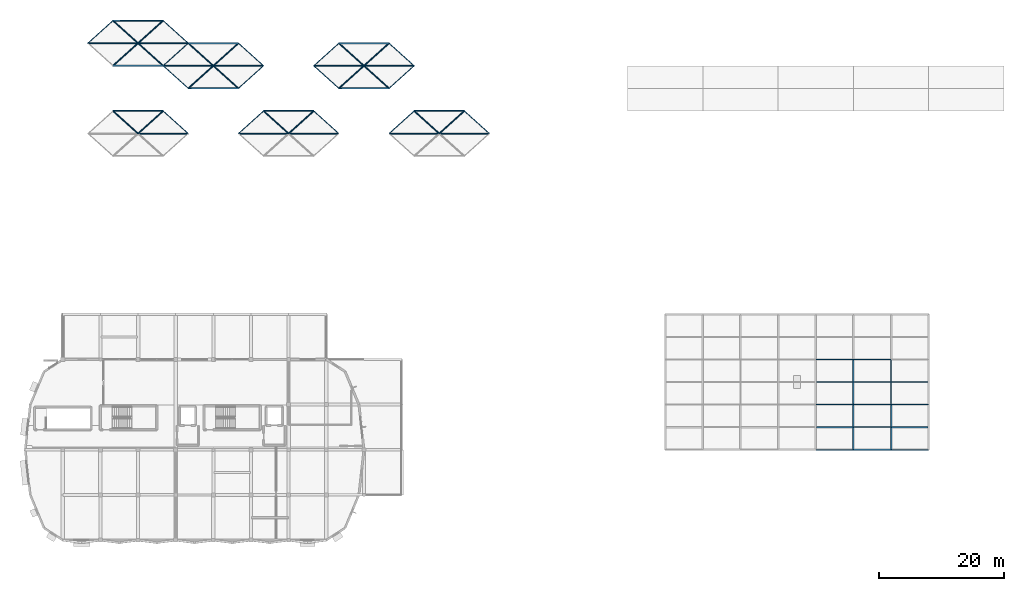
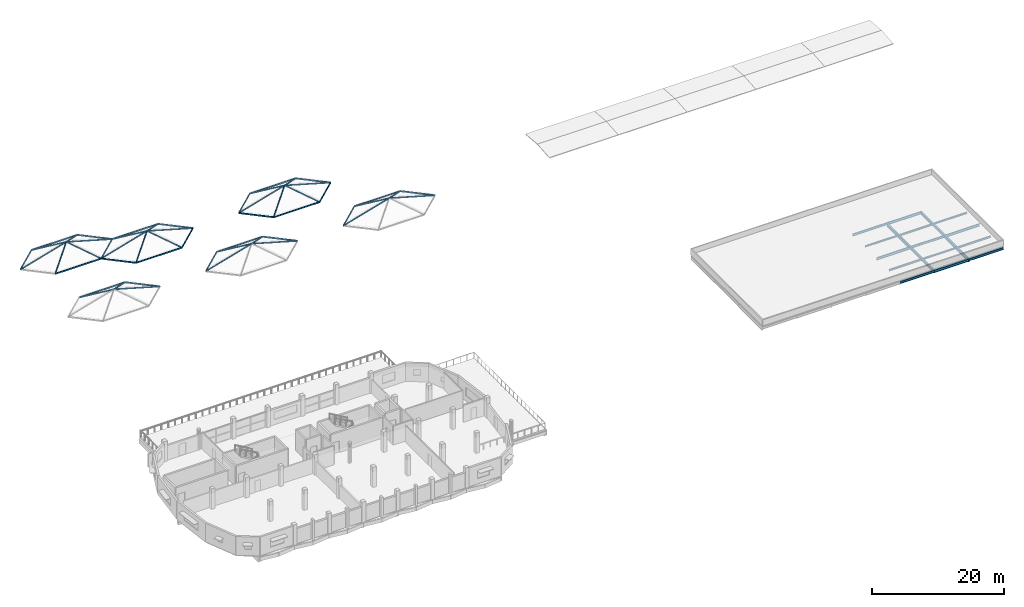
# One storey, part 9 of 19: 42 beams, 29 members.
"""IFC4 building model written with IfcOpenShell, lengths in metres."""

from ifc_helpers import new_model, si_unit, direction, frame, origin, origin_2d, place, context, subcontext, project, spatial, hollow_rectangle, hollow_circle, i_section, extrude, material, material_profile, profile_set, type_object, element, save


model = new_model("IFC4")

# Units and contexts
model_context = context("Model", 3, precision=1e-05, world=origin(), true_north=direction((0.0, 1.0)))
body_context = subcontext(model_context, "Body", "Model", "MODEL_VIEW")
ifc_project = project(units=[si_unit("LENGTHUNIT", "METRE"), si_unit("AREAUNIT", "SQUARE_METRE"), si_unit("VOLUMEUNIT", "CUBIC_METRE"), si_unit("PLANEANGLEUNIT", "RADIAN"), si_unit("MASSUNIT", "GRAM", prefix="KILO")], contexts=[model_context])

# Site, building, storey
site_placement = place(None, origin())
site = spatial("IfcSite", under=ifc_project, at=site_placement, CompositionType="ELEMENT")
building_placement = place(site_placement, origin())
building = spatial("IfcBuilding", under=site, at=building_placement, Name="Dunvalen Ferry Terminal", CompositionType="ELEMENT")
storey_placement = place(building_placement, frame((0.0, 0.0, 13.580078125)))
storey = spatial("IfcBuildingStorey", under=building, at=storey_placement, Name="L03", CompositionType="ELEMENT", Elevation=13.580078125)

# Beams
ifc_material = material(Name="Steel S355", Category="steel")
ifc_material_profile_1 = material_profile(ifc_material, hollow_rectangle(XDim=0.14990234375, YDim=0.25, WallThickness=0.010009765625, InnerFilletRadius=0.010009765625, OuterFilletRadius=0.02001953125, at=origin_2d()), Name="Steel S355")
ifc_profile_set_1 = profile_set([ifc_material_profile_1], Name="Steel S355")
beam_type_1 = type_object("IfcBeamType", Name="STR-BM-RHS250", PredefinedType="BEAM", material=ifc_profile_set_1)
beam_1_placement = place(storey_placement, frame((38.0, 64.800048828125, 3.260009765625), z_axis=(-0.74330768127, 0.668949692402, 0.0), x_axis=(-0.668949692402, -0.74330768127, 0.0)))
element("IfcBeam", 1, at=beam_1_placement, inside=storey, type_object=beam_type_1, Name="HEX-14 Lantern Head Ring Beam 4", PredefinedType="BEAM", context=body_context, shape_type="SweptSolid", body=[
    extrude(hollow_rectangle(XDim=0.14990234375, YDim=0.25, WallThickness=0.010009765625, InnerFilletRadius=0.010009765625, OuterFilletRadius=0.02001953125, at=origin_2d()), origin(), (0.0, 0.0, 1.0), 5.38134765625),
])
for number, where, z_axis, x_axis, name in (
    (2, (34.0, 68.39990234375, 3.260009765625), (-1.0, 0.0, 0.0), (0.0, -1.0, 0.0), "HEX-14 Lantern Head Ring Beam 5"),
    (3, (26.0, 75.60009765625, 3.260009765625), (1.0, 0.0, 0.0), (0.0, 1.0, 0.0), "HEX-16 Lantern Head Ring Beam 2"),
):
    element("IfcBeam", number, at=place(storey_placement, frame(where, z_axis=z_axis, x_axis=x_axis)), inside=storey, type_object=beam_type_1, Name=name, PredefinedType="BEAM", context=body_context, shape_type="SweptSolid", body=[
        extrude(hollow_rectangle(XDim=0.14990234375, YDim=0.25, WallThickness=0.010009765625, InnerFilletRadius=0.010009765625, OuterFilletRadius=0.02001953125, at=origin_2d()), origin(), (0.0, 0.0, 1.0), 8.0),
    ])
beam_2_placement = place(storey_placement, frame((34.0, 75.60009765625, 3.260009765625), z_axis=(0.74330768127, 0.668949692402, 0.0), x_axis=(-0.668949692402, 0.74330768127, 0.0)))
element("IfcBeam", 4, at=beam_2_placement, inside=storey, type_object=beam_type_1, Name="HEX-16 Lantern Head Ring Beam 3", PredefinedType="BEAM", context=body_context, shape_type="SweptSolid", body=[
    extrude(hollow_rectangle(XDim=0.14990234375, YDim=0.25, WallThickness=0.010009765625, InnerFilletRadius=0.010009765625, OuterFilletRadius=0.02001953125, at=origin_2d()), origin(), (0.0, 0.0, 1.0), 5.38134765625),
])
beam_3_placement = place(storey_placement, frame((38.0, 79.199951171875, 3.260009765625), z_axis=(-0.743285123004, 0.668974757313, 0.0), x_axis=(-0.668974757313, -0.743285123004, 0.0)))
element("IfcBeam", 5, at=beam_3_placement, inside=storey, type_object=beam_type_1, Name="HEX-16 Lantern Head Ring Beam 4", PredefinedType="BEAM", context=body_context, shape_type="SweptSolid", body=[
    extrude(hollow_rectangle(XDim=0.14990234375, YDim=0.25, WallThickness=0.010009765625, InnerFilletRadius=0.010009765625, OuterFilletRadius=0.02001953125, at=origin_2d()), origin(), (0.0, 0.0, 1.0), 5.381591796875),
])
beam_4_placement = place(storey_placement, frame((34.0, 82.800048828125, 3.260009765625), z_axis=(-1.0, 0.0, 0.0), x_axis=(0.0, -1.0, 0.0)))
element("IfcBeam", 6, at=beam_4_placement, inside=storey, type_object=beam_type_1, Name="HEX-16 Lantern Head Ring Beam 5", PredefinedType="BEAM", context=body_context, shape_type="SweptSolid", body=[
    extrude(hollow_rectangle(XDim=0.14990234375, YDim=0.25, WallThickness=0.010009765625, InnerFilletRadius=0.010009765625, OuterFilletRadius=0.02001953125, at=origin_2d()), origin(), (0.0, 0.0, 1.0), 8.0),
])
for number, where, z_axis, x_axis, name in (
    (7, (26.0, 82.800048828125, 3.260009765625), (-0.743285123004, -0.668974757313, 0.0), (0.668974757313, -0.743285123004, 0.0), "HEX-16 Lantern Head Ring Beam 6"),
    (8, (34.0, 75.60009765625, 3.260009765625), (0.743285123004, -0.668974757313, 0.0), (0.668974757313, 0.743285123004, 0.0), "HEX-21 Lantern Head Ring Beam 1"),
):
    element("IfcBeam", number, at=place(storey_placement, frame(where, z_axis=z_axis, x_axis=x_axis)), inside=storey, type_object=beam_type_1, Name=name, PredefinedType="BEAM", context=body_context, shape_type="SweptSolid", body=[
        extrude(hollow_rectangle(XDim=0.14990234375, YDim=0.25, WallThickness=0.010009765625, InnerFilletRadius=0.010009765625, OuterFilletRadius=0.02001953125, at=origin_2d()), origin(), (0.0, 0.0, 1.0), 5.381591796875),
    ])
beam_5_placement = place(storey_placement, frame((38.0, 72.0, 3.260009765625), z_axis=(1.0, 0.0, 0.0), x_axis=(0.0, 1.0, 0.0)))
element("IfcBeam", 9, at=beam_5_placement, inside=storey, type_object=beam_type_1, Name="HEX-21 Lantern Head Ring Beam 2", PredefinedType="BEAM", context=body_context, shape_type="SweptSolid", body=[
    extrude(hollow_rectangle(XDim=0.14990234375, YDim=0.25, WallThickness=0.010009765625, InnerFilletRadius=0.010009765625, OuterFilletRadius=0.02001953125, at=origin_2d()), origin(), (0.0, 0.0, 1.0), 8.0),
])
beam_6_placement = place(storey_placement, frame((46.0, 72.0, 3.260009765625), z_axis=(0.743285123004, 0.668974757313, 0.0), x_axis=(-0.668974757313, 0.743285123004, 0.0)))
element("IfcBeam", 10, at=beam_6_placement, inside=storey, type_object=beam_type_1, Name="HEX-21 Lantern Head Ring Beam 3", PredefinedType="BEAM", context=body_context, shape_type="SweptSolid", body=[
    extrude(hollow_rectangle(XDim=0.14990234375, YDim=0.25, WallThickness=0.010009765625, InnerFilletRadius=0.010009765625, OuterFilletRadius=0.02001953125, at=origin_2d()), origin(), (0.0, 0.0, 1.0), 5.381591796875),
])
beam_7_placement = place(storey_placement, frame((50.0, 75.60009765625, 3.260009765625), z_axis=(-0.74330768127, 0.668949692402, 0.0), x_axis=(-0.668949692402, -0.74330768127, 0.0)))
element("IfcBeam", 11, at=beam_7_placement, inside=storey, type_object=beam_type_1, Name="HEX-21 Lantern Head Ring Beam 4", PredefinedType="BEAM", context=body_context, shape_type="SweptSolid", body=[
    extrude(hollow_rectangle(XDim=0.14990234375, YDim=0.25, WallThickness=0.010009765625, InnerFilletRadius=0.010009765625, OuterFilletRadius=0.02001953125, at=origin_2d()), origin(), (0.0, 0.0, 1.0), 5.38134765625),
])
beam_8_placement = place(storey_placement, frame((46.0, 79.199951171875, 3.260009765625), z_axis=(-1.0, 0.0, 0.0), x_axis=(0.0, -1.0, 0.0)))
element("IfcBeam", 12, at=beam_8_placement, inside=storey, type_object=beam_type_1, Name="HEX-21 Lantern Head Ring Beam 5", PredefinedType="BEAM", context=body_context, shape_type="SweptSolid", body=[
    extrude(hollow_rectangle(XDim=0.14990234375, YDim=0.25, WallThickness=0.010009765625, InnerFilletRadius=0.010009765625, OuterFilletRadius=0.02001953125, at=origin_2d()), origin(), (0.0, 0.0, 1.0), 8.0),
])
beam_9_placement = place(storey_placement, frame((62.0, 64.800048828125, 3.260009765625), z_axis=(-0.74330768127, 0.668949692402, 0.0), x_axis=(-0.668949692402, -0.74330768127, 0.0)))
element("IfcBeam", 13, at=beam_9_placement, inside=storey, type_object=beam_type_1, Name="HEX-25 Lantern Head Ring Beam 4", PredefinedType="BEAM", context=body_context, shape_type="SweptSolid", body=[
    extrude(hollow_rectangle(XDim=0.14990234375, YDim=0.25, WallThickness=0.010009765625, InnerFilletRadius=0.010009765625, OuterFilletRadius=0.02001953125, at=origin_2d()), origin(), (0.0, 0.0, 1.0), 5.38134765625),
])
beam_10_placement = place(storey_placement, frame((58.0, 68.39990234375, 3.260009765625), z_axis=(-1.0, 0.0, 0.0), x_axis=(0.0, -1.0, 0.0)))
element("IfcBeam", 14, at=beam_10_placement, inside=storey, type_object=beam_type_1, Name="HEX-25 Lantern Head Ring Beam 5", PredefinedType="BEAM", context=body_context, shape_type="SweptSolid", body=[
    extrude(hollow_rectangle(XDim=0.14990234375, YDim=0.25, WallThickness=0.010009765625, InnerFilletRadius=0.010009765625, OuterFilletRadius=0.02001953125, at=origin_2d()), origin(), (0.0, 0.0, 1.0), 8.0),
])
beam_11_placement = place(storey_placement, frame((50.0, 68.39990234375, 3.260009765625), z_axis=(-0.74330768127, -0.668949692402, 0.0), x_axis=(0.668949692402, -0.74330768127, 0.0)))
element("IfcBeam", 15, at=beam_11_placement, inside=storey, type_object=beam_type_1, Name="HEX-25 Lantern Head Ring Beam 6", PredefinedType="BEAM", context=body_context, shape_type="SweptSolid", body=[
    extrude(hollow_rectangle(XDim=0.14990234375, YDim=0.25, WallThickness=0.010009765625, InnerFilletRadius=0.010009765625, OuterFilletRadius=0.02001953125, at=origin_2d()), origin(), (0.0, 0.0, 1.0), 5.38134765625),
])
beam_12_placement = place(storey_placement, frame((58.0, 75.60009765625, 3.260009765625), z_axis=(0.743285123004, -0.668974757313, 0.0), x_axis=(0.668974757313, 0.743285123004, 0.0)))
element("IfcBeam", 16, at=beam_12_placement, inside=storey, type_object=beam_type_1, Name="HEX-32 Lantern Head Ring Beam 1", PredefinedType="BEAM", context=body_context, shape_type="SweptSolid", body=[
    extrude(hollow_rectangle(XDim=0.14990234375, YDim=0.25, WallThickness=0.010009765625, InnerFilletRadius=0.010009765625, OuterFilletRadius=0.02001953125, at=origin_2d()), origin(), (0.0, 0.0, 1.0), 5.381591796875),
])
beam_13_placement = place(storey_placement, frame((62.0, 72.0, 3.260009765625), z_axis=(1.0, 0.0, 0.0), x_axis=(0.0, 1.0, 0.0)))
element("IfcBeam", 17, at=beam_13_placement, inside=storey, type_object=beam_type_1, Name="HEX-32 Lantern Head Ring Beam 2", PredefinedType="BEAM", context=body_context, shape_type="SweptSolid", body=[
    extrude(hollow_rectangle(XDim=0.14990234375, YDim=0.25, WallThickness=0.010009765625, InnerFilletRadius=0.010009765625, OuterFilletRadius=0.02001953125, at=origin_2d()), origin(), (0.0, 0.0, 1.0), 8.0),
])
beam_14_placement = place(storey_placement, frame((70.0, 72.0, 3.260009765625), z_axis=(0.743285123004, 0.668974757313, 0.0), x_axis=(-0.668974757313, 0.743285123004, 0.0)))
element("IfcBeam", 18, at=beam_14_placement, inside=storey, type_object=beam_type_1, Name="HEX-32 Lantern Head Ring Beam 3", PredefinedType="BEAM", context=body_context, shape_type="SweptSolid", body=[
    extrude(hollow_rectangle(XDim=0.14990234375, YDim=0.25, WallThickness=0.010009765625, InnerFilletRadius=0.010009765625, OuterFilletRadius=0.02001953125, at=origin_2d()), origin(), (0.0, 0.0, 1.0), 5.381591796875),
])
beam_15_placement = place(storey_placement, frame((74.0, 75.60009765625, 3.260009765625), z_axis=(-0.74330768127, 0.668949692402, 0.0), x_axis=(-0.668949692402, -0.74330768127, 0.0)))
element("IfcBeam", 19, at=beam_15_placement, inside=storey, type_object=beam_type_1, Name="HEX-32 Lantern Head Ring Beam 4", PredefinedType="BEAM", context=body_context, shape_type="SweptSolid", body=[
    extrude(hollow_rectangle(XDim=0.14990234375, YDim=0.25, WallThickness=0.010009765625, InnerFilletRadius=0.010009765625, OuterFilletRadius=0.02001953125, at=origin_2d()), origin(), (0.0, 0.0, 1.0), 5.38134765625),
])
beam_16_placement = place(storey_placement, frame((70.0, 79.199951171875, 3.260009765625), z_axis=(-1.0, 0.0, 0.0), x_axis=(0.0, -1.0, 0.0)))
element("IfcBeam", 20, at=beam_16_placement, inside=storey, type_object=beam_type_1, Name="HEX-32 Lantern Head Ring Beam 5", PredefinedType="BEAM", context=body_context, shape_type="SweptSolid", body=[
    extrude(hollow_rectangle(XDim=0.14990234375, YDim=0.25, WallThickness=0.010009765625, InnerFilletRadius=0.010009765625, OuterFilletRadius=0.02001953125, at=origin_2d()), origin(), (0.0, 0.0, 1.0), 8.0),
])
for number, where, z_axis, x_axis, name in (
    (21, (62.0, 79.199951171875, 3.260009765625), (-0.74330768127, -0.668949692402, 0.0), (0.668949692402, -0.74330768127, 0.0), "HEX-32 Lantern Head Ring Beam 6"),
    (22, (86.0, 64.800048828125, 3.260009765625), (-0.74330768127, 0.668949692402, 0.0), (-0.668949692402, -0.74330768127, 0.0), "HEX-36 Lantern Head Ring Beam 4"),
):
    element("IfcBeam", number, at=place(storey_placement, frame(where, z_axis=z_axis, x_axis=x_axis)), inside=storey, type_object=beam_type_1, Name=name, PredefinedType="BEAM", context=body_context, shape_type="SweptSolid", body=[
        extrude(hollow_rectangle(XDim=0.14990234375, YDim=0.25, WallThickness=0.010009765625, InnerFilletRadius=0.010009765625, OuterFilletRadius=0.02001953125, at=origin_2d()), origin(), (0.0, 0.0, 1.0), 5.38134765625),
    ])
beam_17_placement = place(storey_placement, frame((82.0, 68.39990234375, 3.260009765625), z_axis=(-1.0, 0.0, 0.0), x_axis=(0.0, -1.0, 0.0)))
element("IfcBeam", 23, at=beam_17_placement, inside=storey, type_object=beam_type_1, Name="HEX-36 Lantern Head Ring Beam 5", PredefinedType="BEAM", context=body_context, shape_type="SweptSolid", body=[
    extrude(hollow_rectangle(XDim=0.14990234375, YDim=0.25, WallThickness=0.010009765625, InnerFilletRadius=0.010009765625, OuterFilletRadius=0.02001953125, at=origin_2d()), origin(), (0.0, 0.0, 1.0), 8.0),
])
beam_18_placement = place(storey_placement, frame((74.0, 68.39990234375, 3.260009765625), z_axis=(-0.74330768127, -0.668949692402, 0.0), x_axis=(0.668949692402, -0.74330768127, 0.0)))
element("IfcBeam", 24, at=beam_18_placement, inside=storey, type_object=beam_type_1, Name="HEX-36 Lantern Head Ring Beam 6", PredefinedType="BEAM", context=body_context, shape_type="SweptSolid", body=[
    extrude(hollow_rectangle(XDim=0.14990234375, YDim=0.25, WallThickness=0.010009765625, InnerFilletRadius=0.010009765625, OuterFilletRadius=0.02001953125, at=origin_2d()), origin(), (0.0, 0.0, 1.0), 5.38134765625),
])
ifc_material_profile_2 = material_profile(ifc_material, i_section(OverallWidth=0.1650390625, OverallDepth=0.303466796875, WebThickness=0.006103515625, FlangeThickness=0.01025390625, FilletRadius=0.0087890625, at=origin_2d()), Name="Steel S355")
ifc_profile_set_2 = profile_set([ifc_material_profile_2], Name="Steel S355")
beam_type_2 = type_object("IfcBeamType", Name="STR-BM-UKB305", PredefinedType="JOIST", material=ifc_profile_set_2)
for number, where, z_axis, x_axis, name in (
    (25, (138.10009765625, 25.199951171875, -0.391845703125), (1.0, 0.0, 0.0), (0.0, 1.0, 0.0), "L03 V4P Secondary Joist 014"),
    (26, (144.10009765625, 18.0, -0.391845703125), (1.0, 0.0, 0.0), (0.0, 1.0, 0.0), "L03 V4P Secondary Joist 016"),
    (27, (150.10009765625, 25.199951171875, -0.391845703125), (1.0, 0.0, 0.0), (0.0, 1.0, 0.0), "L03 V4P Secondary Joist 020"),
):
    element("IfcBeam", number, at=place(storey_placement, frame(where, z_axis=z_axis, x_axis=x_axis)), inside=storey, type_object=beam_type_2, Name=name, PredefinedType="JOIST", context=body_context, shape_type="SweptSolid", body=[
        extrude(i_section(OverallWidth=0.1650390625, OverallDepth=0.303466796875, WebThickness=0.006103515625, FlangeThickness=0.01025390625, FilletRadius=0.0087890625, at=origin_2d()), origin(), (0.0, 0.0, 1.0), 5.7998046875),
    ])
ifc_material_profile_3 = material_profile(ifc_material, i_section(OverallWidth=0.17138671875, OverallDepth=0.35498046875, WebThickness=0.00732421875, FlangeThickness=0.011474609375, FilletRadius=0.01025390625, at=origin_2d()), Name="Steel S355")
ifc_profile_set_3 = profile_set([ifc_material_profile_3], Name="Steel S355")
beam_type_3 = type_object("IfcBeamType", Name="STR-BM-UKB356", PredefinedType="JOIST", material=ifc_profile_set_3)
for number, where, z_axis, x_axis, name in (
    (28, (138.10009765625, 18.0, -0.41748046875), (1.0, 0.0, 0.0), (0.0, 1.0, 0.0), "L03 V4P Secondary Joist 013"),
    (29, (144.10009765625, 25.199951171875, -0.41748046875), (1.0, 0.0, 0.0), (0.0, 1.0, 0.0), "L03 V4P Secondary Joist 017"),
    (30, (150.10009765625, 18.0, -0.41748046875), (1.0, 0.0, 0.0), (0.0, 1.0, 0.0), "L03 V4P Secondary Joist 019"),
):
    element("IfcBeam", number, at=place(storey_placement, frame(where, z_axis=z_axis, x_axis=x_axis)), inside=storey, type_object=beam_type_3, Name=name, PredefinedType="JOIST", context=body_context, shape_type="SweptSolid", body=[
        extrude(i_section(OverallWidth=0.17138671875, OverallDepth=0.35498046875, WebThickness=0.00732421875, FlangeThickness=0.011474609375, FilletRadius=0.01025390625, at=origin_2d()), origin(), (0.0, 0.0, 1.0), 5.7998046875),
    ])
ifc_material_profile_4 = material_profile(ifc_material, i_section(OverallWidth=0.177978515625, OverallDepth=0.406494140625, WebThickness=0.0078125, FlangeThickness=0.0126953125, FilletRadius=0.01025390625, at=origin_2d()), Name="Steel S355")
ifc_profile_set_4 = profile_set([ifc_material_profile_4], Name="Steel S355")
beam_type_4 = type_object("IfcBeamType", Name="STR-BM-UKB406", PredefinedType="JOIST", material=ifc_profile_set_4)
for number, where, z_axis, x_axis, name in (
    (31, (138.0, 14.39990234375, -0.443359375), (1.0, 0.0, 0.0), (0.0, 1.0, 0.0), "L03 V4P Primary Beam X-005"),
    (32, (150.0, 14.39990234375, -0.443359375), (1.0, 0.0, 0.0), (0.0, 1.0, 0.0), "L03 V4P Primary Beam X-007"),
    (33, (144.0, 21.60009765625, -0.443359375), (1.0, 0.0, 0.0), (0.0, 1.0, 0.0), "L03 V4P Primary Beam X-013"),
    (34, (138.0, 28.800048828125, -0.443359375), (1.0, 0.0, 0.0), (0.0, 1.0, 0.0), "L03 V4P Primary Beam X-019"),
):
    element("IfcBeam", number, at=place(storey_placement, frame(where, z_axis=z_axis, x_axis=x_axis)), inside=storey, type_object=beam_type_4, Name=name, PredefinedType="JOIST", context=body_context, shape_type="SweptSolid", body=[
        extrude(i_section(OverallWidth=0.177978515625, OverallDepth=0.406494140625, WebThickness=0.0078125, FlangeThickness=0.0126953125, FilletRadius=0.01025390625, at=origin_2d()), origin(), (0.0, 0.0, 1.0), 6.0),
    ])
ifc_material_profile_5 = material_profile(ifc_material, i_section(OverallWidth=0.1904296875, OverallDepth=0.45703125, WebThickness=0.009033203125, FlangeThickness=0.014404296875, FilletRadius=0.01025390625, at=origin_2d()), Name="Steel S355")
ifc_profile_set_5 = profile_set([ifc_material_profile_5], Name="Steel S355")
beam_type_5 = type_object("IfcBeamType", Name="STR-BM-UKB457", PredefinedType="BEAM", material=ifc_profile_set_5)
for number, where, z_axis, x_axis, name in (
    (35, (144.0, 14.39990234375, -0.468505859375), (1.0, 0.0, 0.0), (0.0, 1.0, 0.0), "L03 V4P Primary Beam X-006"),
    (36, (138.0, 21.60009765625, -0.468505859375), (1.0, 0.0, 0.0), (0.0, 1.0, 0.0), "L03 V4P Primary Beam X-012"),
    (37, (150.0, 21.60009765625, -0.468505859375), (1.0, 0.0, 0.0), (0.0, 1.0, 0.0), "L03 V4P Primary Beam X-014"),
    (38, (144.0, 28.800048828125, -0.468505859375), (1.0, 0.0, 0.0), (0.0, 1.0, 0.0), "L03 V4P Primary Beam X-020"),
):
    element("IfcBeam", number, at=place(storey_placement, frame(where, z_axis=z_axis, x_axis=x_axis)), inside=storey, type_object=beam_type_5, Name=name, PredefinedType="BEAM", context=body_context, shape_type="SweptSolid", body=[
        extrude(i_section(OverallWidth=0.1904296875, OverallDepth=0.45703125, WebThickness=0.009033203125, FlangeThickness=0.014404296875, FilletRadius=0.01025390625, at=origin_2d()), origin(), (0.0, 0.0, 1.0), 6.0),
    ])
ifc_material_profile_6 = material_profile(ifc_material, i_section(OverallWidth=0.209228515625, OverallDepth=0.533203125, WebThickness=0.010009765625, FlangeThickness=0.015625, FilletRadius=0.0126953125, at=origin_2d()), Name="Steel S355")
ifc_profile_set_6 = profile_set([ifc_material_profile_6], Name="Steel S355")
beam_type_6 = type_object("IfcBeamType", Name="STR-BM-UKB533", PredefinedType="BEAM", material=ifc_profile_set_6)
beam_19_placement = place(storey_placement, frame((144.0, 14.39990234375, -0.506591796875), z_axis=(0.0, 1.0, 0.0), x_axis=(-1.0, 0.0, 0.0)))
element("IfcBeam", 39, at=beam_19_placement, inside=storey, type_object=beam_type_6, Name="L03 V4P Primary Girder Y-044", PredefinedType="BEAM", context=body_context, shape_type="SweptSolid", body=[
    extrude(i_section(OverallWidth=0.209228515625, OverallDepth=0.533203125, WebThickness=0.010009765625, FlangeThickness=0.015625, FilletRadius=0.0126953125, at=origin_2d()), origin(), (0.0, 0.0, 1.0), 7.2001953125),
])
beam_20_placement = place(storey_placement, frame((150.0, 21.60009765625, -0.506591796875), z_axis=(0.0, 1.0, 0.0), x_axis=(-1.0, 0.0, 0.0)))
element("IfcBeam", 40, at=beam_20_placement, inside=storey, type_object=beam_type_6, Name="L03 V4P Primary Girder Y-048", PredefinedType="BEAM", context=body_context, shape_type="SweptSolid", body=[
    extrude(i_section(OverallWidth=0.209228515625, OverallDepth=0.533203125, WebThickness=0.010009765625, FlangeThickness=0.015625, FilletRadius=0.0126953125, at=origin_2d()), origin(), (0.0, 0.0, 1.0), 7.199951171875),
])
ifc_material_profile_7 = material_profile(ifc_material, i_section(OverallWidth=0.228271484375, OverallDepth=0.607666015625, WebThickness=0.010986328125, FlangeThickness=0.017333984375, FilletRadius=0.0126953125, at=origin_2d()), Name="Steel S355")
ifc_profile_set_7 = profile_set([ifc_material_profile_7], Name="Steel S355")
beam_type_7 = type_object("IfcBeamType", Name="STR-BM-UKB610", PredefinedType="BEAM", material=ifc_profile_set_7)
beam_21_placement = place(storey_placement, frame((144.0, 21.60009765625, -0.5439453125), z_axis=(0.0, 1.0, 0.0), x_axis=(-1.0, 0.0, 0.0)))
element("IfcBeam", 41, at=beam_21_placement, inside=storey, type_object=beam_type_7, Name="L03 V4P Primary Girder Y-045", PredefinedType="BEAM", context=body_context, shape_type="SweptSolid", body=[
    extrude(i_section(OverallWidth=0.228271484375, OverallDepth=0.607666015625, WebThickness=0.010986328125, FlangeThickness=0.017333984375, FilletRadius=0.0126953125, at=origin_2d()), origin(), (0.0, 0.0, 1.0), 7.199951171875),
])
beam_22_placement = place(storey_placement, frame((150.0, 14.39990234375, -0.5439453125), z_axis=(0.0, 1.0, 0.0), x_axis=(-1.0, 0.0, 0.0)))
element("IfcBeam", 42, at=beam_22_placement, inside=storey, type_object=beam_type_7, Name="L03 V4P Primary Girder Y-047", PredefinedType="BEAM", context=body_context, shape_type="SweptSolid", body=[
    extrude(i_section(OverallWidth=0.228271484375, OverallDepth=0.607666015625, WebThickness=0.010986328125, FlangeThickness=0.017333984375, FilletRadius=0.0126953125, at=origin_2d()), origin(), (0.0, 0.0, 1.0), 7.2001953125),
])

# Members
ifc_material_profile_8 = material_profile(ifc_material, hollow_circle(Radius=0.122314453125, WallThickness=0.010009765625, at=origin_2d()), Name="Steel S355")
ifc_profile_set_8 = profile_set([ifc_material_profile_8], Name="Steel S355")
member_type = type_object("IfcMemberType", Name="STR-MB-CHS244", PredefinedType="STRUT", material=ifc_profile_set_8)
member_1_placement = place(storey_placement, frame((38.0, 64.800048828125, 3.260009765625), z_axis=(-0.96139430442, 0.0, 0.275174474523), x_axis=(0.0, -1.0, 0.0)))
element("IfcMember", 43, at=member_1_placement, inside=storey, type_object=member_type, Name="HEX-14 Lantern Steep Hip Rafter 4", PredefinedType="STRUT", context=body_context, shape_type="SweptSolid", body=[
    extrude(hollow_circle(Radius=0.122314453125, WallThickness=0.010009765625, at=origin_2d()), origin(), (0.0, 0.0, 1.0), 8.3212890625),
])
for number, where, z_axis, x_axis, name in (
    (44, (34.0, 68.39990234375, 3.260009765625), (-0.683964508292, -0.615543009934, 0.391534614457), (0.668949692402, -0.74330768127, 0.0), "HEX-14 Lantern Steep Hip Rafter 5"),
    (45, (26.0, 68.39990234375, 3.260009765625), (0.683964508292, -0.615543009934, 0.391534614457), (0.668949692402, 0.74330768127, 0.0), "HEX-14 Lantern Steep Hip Rafter 6"),
):
    element("IfcMember", number, at=place(storey_placement, frame(where, z_axis=z_axis, x_axis=x_axis)), inside=storey, type_object=member_type, Name=name, PredefinedType="STRUT", context=body_context, shape_type="SweptSolid", body=[
        extrude(hollow_circle(Radius=0.122314453125, WallThickness=0.010009765625, at=origin_2d()), origin(), (0.0, 0.0, 1.0), 5.84814453125),
    ])
member_2_placement = place(storey_placement, frame((22.0, 79.199951171875, 3.260009765625), z_axis=(0.96139430442, 0.0, 0.275174474523), x_axis=(0.0, 1.0, 0.0)))
element("IfcMember", 46, at=member_2_placement, inside=storey, type_object=member_type, Name="HEX-16 Lantern Steep Hip Rafter 1", PredefinedType="STRUT", context=body_context, shape_type="SweptSolid", body=[
    extrude(hollow_circle(Radius=0.122314453125, WallThickness=0.010009765625, at=origin_2d()), origin(), (0.0, 0.0, 1.0), 8.3212890625),
])
for number, where, z_axis, x_axis, name in (
    (47, (26.0, 75.60009765625, 3.260009765625), (0.683964508292, 0.615543009934, 0.391534614457), (-0.668949692402, 0.74330768127, 0.0), "HEX-16 Lantern Steep Hip Rafter 2"),
    (48, (34.0, 75.60009765625, 3.260009765625), (-0.683964508292, 0.615543009934, 0.391534614457), (-0.668949692402, -0.74330768127, 0.0), "HEX-16 Lantern Steep Hip Rafter 3"),
):
    element("IfcMember", number, at=place(storey_placement, frame(where, z_axis=z_axis, x_axis=x_axis)), inside=storey, type_object=member_type, Name=name, PredefinedType="STRUT", context=body_context, shape_type="SweptSolid", body=[
        extrude(hollow_circle(Radius=0.122314453125, WallThickness=0.010009765625, at=origin_2d()), origin(), (0.0, 0.0, 1.0), 5.84814453125),
    ])
member_3_placement = place(storey_placement, frame((38.0, 79.199951171875, 3.260009765625), z_axis=(-0.96139430442, 0.0, 0.275174474523), x_axis=(0.0, -1.0, 0.0)))
element("IfcMember", 49, at=member_3_placement, inside=storey, type_object=member_type, Name="HEX-16 Lantern Steep Hip Rafter 4", PredefinedType="STRUT", context=body_context, shape_type="SweptSolid", body=[
    extrude(hollow_circle(Radius=0.122314453125, WallThickness=0.010009765625, at=origin_2d()), origin(), (0.0, 0.0, 1.0), 8.3212890625),
])
for number, where, z_axis, x_axis, name in (
    (50, (34.0, 82.800048828125, 3.260009765625), (-0.683946932958, -0.615568937585, 0.39152455348), (0.668974757313, -0.743285123004, 0.0), "HEX-16 Lantern Steep Hip Rafter 5"),
    (51, (26.0, 82.800048828125, 3.260009765625), (0.683946932958, -0.615568937585, 0.39152455348), (0.668974757313, 0.743285123004, 0.0), "HEX-16 Lantern Steep Hip Rafter 6"),
):
    element("IfcMember", number, at=place(storey_placement, frame(where, z_axis=z_axis, x_axis=x_axis)), inside=storey, type_object=member_type, Name=name, PredefinedType="STRUT", context=body_context, shape_type="SweptSolid", body=[
        extrude(hollow_circle(Radius=0.122314453125, WallThickness=0.010009765625, at=origin_2d()), origin(), (0.0, 0.0, 1.0), 5.848388671875),
    ])
member_4_placement = place(storey_placement, frame((34.0, 75.60009765625, 3.260009765625), z_axis=(0.96139430442, 0.0, 0.275174474523), x_axis=(0.0, 1.0, 0.0)))
element("IfcMember", 52, at=member_4_placement, inside=storey, type_object=member_type, Name="HEX-21 Lantern Steep Hip Rafter 1", PredefinedType="STRUT", context=body_context, shape_type="SweptSolid", body=[
    extrude(hollow_circle(Radius=0.122314453125, WallThickness=0.010009765625, at=origin_2d()), origin(), (0.0, 0.0, 1.0), 8.3212890625),
])
for number, where, z_axis, x_axis, name in (
    (53, (38.0, 72.0, 3.260009765625), (0.683946932958, 0.615568937585, 0.39152455348), (-0.668974757313, 0.743285123004, 0.0), "HEX-21 Lantern Steep Hip Rafter 2"),
    (54, (46.0, 72.0, 3.260009765625), (-0.683946932958, 0.615568937585, 0.39152455348), (-0.668974757313, -0.743285123004, 0.0), "HEX-21 Lantern Steep Hip Rafter 3"),
):
    element("IfcMember", number, at=place(storey_placement, frame(where, z_axis=z_axis, x_axis=x_axis)), inside=storey, type_object=member_type, Name=name, PredefinedType="STRUT", context=body_context, shape_type="SweptSolid", body=[
        extrude(hollow_circle(Radius=0.122314453125, WallThickness=0.010009765625, at=origin_2d()), origin(), (0.0, 0.0, 1.0), 5.848388671875),
    ])
member_5_placement = place(storey_placement, frame((50.0, 75.60009765625, 3.260009765625), z_axis=(-0.96139430442, 0.0, 0.275174474523), x_axis=(0.0, -1.0, 0.0)))
element("IfcMember", 55, at=member_5_placement, inside=storey, type_object=member_type, Name="HEX-21 Lantern Steep Hip Rafter 4", PredefinedType="STRUT", context=body_context, shape_type="SweptSolid", body=[
    extrude(hollow_circle(Radius=0.122314453125, WallThickness=0.010009765625, at=origin_2d()), origin(), (0.0, 0.0, 1.0), 8.3212890625),
])
for number, where, z_axis, x_axis, name in (
    (56, (46.0, 79.199951171875, 3.260009765625), (-0.683964508292, -0.615543009934, 0.391534614457), (0.668949692402, -0.74330768127, 0.0), "HEX-21 Lantern Steep Hip Rafter 5"),
    (57, (38.0, 79.199951171875, 3.260009765625), (0.683964508292, -0.615543009934, 0.391534614457), (0.668949692402, 0.74330768127, 0.0), "HEX-21 Lantern Steep Hip Rafter 6"),
):
    element("IfcMember", number, at=place(storey_placement, frame(where, z_axis=z_axis, x_axis=x_axis)), inside=storey, type_object=member_type, Name=name, PredefinedType="STRUT", context=body_context, shape_type="SweptSolid", body=[
        extrude(hollow_circle(Radius=0.122314453125, WallThickness=0.010009765625, at=origin_2d()), origin(), (0.0, 0.0, 1.0), 5.84814453125),
    ])
for number, where, z_axis, x_axis, name in (
    (58, (46.0, 64.800048828125, 3.260009765625), (0.96139430442, 0.0, 0.275174474523), (0.0, 1.0, 0.0), "HEX-25 Lantern Steep Hip Rafter 1"),
    (59, (62.0, 64.800048828125, 3.260009765625), (-0.96139430442, 0.0, 0.275174474523), (0.0, -1.0, 0.0), "HEX-25 Lantern Steep Hip Rafter 4"),
):
    element("IfcMember", number, at=place(storey_placement, frame(where, z_axis=z_axis, x_axis=x_axis)), inside=storey, type_object=member_type, Name=name, PredefinedType="STRUT", context=body_context, shape_type="SweptSolid", body=[
        extrude(hollow_circle(Radius=0.122314453125, WallThickness=0.010009765625, at=origin_2d()), origin(), (0.0, 0.0, 1.0), 8.3212890625),
    ])
for number, where, z_axis, x_axis, name in (
    (60, (58.0, 68.39990234375, 3.260009765625), (-0.683964508292, -0.615543009934, 0.391534614457), (0.668949692402, -0.74330768127, 0.0), "HEX-25 Lantern Steep Hip Rafter 5"),
    (61, (50.0, 68.39990234375, 3.260009765625), (0.683964508292, -0.615543009934, 0.391534614457), (0.668949692402, 0.74330768127, 0.0), "HEX-25 Lantern Steep Hip Rafter 6"),
):
    element("IfcMember", number, at=place(storey_placement, frame(where, z_axis=z_axis, x_axis=x_axis)), inside=storey, type_object=member_type, Name=name, PredefinedType="STRUT", context=body_context, shape_type="SweptSolid", body=[
        extrude(hollow_circle(Radius=0.122314453125, WallThickness=0.010009765625, at=origin_2d()), origin(), (0.0, 0.0, 1.0), 5.84814453125),
    ])
member_6_placement = place(storey_placement, frame((58.0, 75.60009765625, 3.260009765625), z_axis=(0.96139430442, 0.0, 0.275174474523), x_axis=(0.0, 1.0, 0.0)))
element("IfcMember", 62, at=member_6_placement, inside=storey, type_object=member_type, Name="HEX-32 Lantern Steep Hip Rafter 1", PredefinedType="STRUT", context=body_context, shape_type="SweptSolid", body=[
    extrude(hollow_circle(Radius=0.122314453125, WallThickness=0.010009765625, at=origin_2d()), origin(), (0.0, 0.0, 1.0), 8.3212890625),
])
for number, where, z_axis, x_axis, name in (
    (63, (62.0, 72.0, 3.260009765625), (0.683946932958, 0.615568937585, 0.39152455348), (-0.668974757313, 0.743285123004, 0.0), "HEX-32 Lantern Steep Hip Rafter 2"),
    (64, (70.0, 72.0, 3.260009765625), (-0.683946932958, 0.615568937585, 0.39152455348), (-0.668974757313, -0.743285123004, 0.0), "HEX-32 Lantern Steep Hip Rafter 3"),
):
    element("IfcMember", number, at=place(storey_placement, frame(where, z_axis=z_axis, x_axis=x_axis)), inside=storey, type_object=member_type, Name=name, PredefinedType="STRUT", context=body_context, shape_type="SweptSolid", body=[
        extrude(hollow_circle(Radius=0.122314453125, WallThickness=0.010009765625, at=origin_2d()), origin(), (0.0, 0.0, 1.0), 5.848388671875),
    ])
member_7_placement = place(storey_placement, frame((74.0, 75.60009765625, 3.260009765625), z_axis=(-0.96139430442, 0.0, 0.275174474523), x_axis=(0.0, -1.0, 0.0)))
element("IfcMember", 65, at=member_7_placement, inside=storey, type_object=member_type, Name="HEX-32 Lantern Steep Hip Rafter 4", PredefinedType="STRUT", context=body_context, shape_type="SweptSolid", body=[
    extrude(hollow_circle(Radius=0.122314453125, WallThickness=0.010009765625, at=origin_2d()), origin(), (0.0, 0.0, 1.0), 8.3212890625),
])
for number, where, z_axis, x_axis, name in (
    (66, (70.0, 79.199951171875, 3.260009765625), (-0.683964508292, -0.615543009934, 0.391534614457), (0.668949692402, -0.74330768127, 0.0), "HEX-32 Lantern Steep Hip Rafter 5"),
    (67, (62.0, 79.199951171875, 3.260009765625), (0.683964508292, -0.615543009934, 0.391534614457), (0.668949692402, 0.74330768127, 0.0), "HEX-32 Lantern Steep Hip Rafter 6"),
):
    element("IfcMember", number, at=place(storey_placement, frame(where, z_axis=z_axis, x_axis=x_axis)), inside=storey, type_object=member_type, Name=name, PredefinedType="STRUT", context=body_context, shape_type="SweptSolid", body=[
        extrude(hollow_circle(Radius=0.122314453125, WallThickness=0.010009765625, at=origin_2d()), origin(), (0.0, 0.0, 1.0), 5.84814453125),
    ])
for number, where, z_axis, x_axis, name in (
    (68, (70.0, 64.800048828125, 3.260009765625), (0.96139430442, 0.0, 0.275174474523), (0.0, 1.0, 0.0), "HEX-36 Lantern Steep Hip Rafter 1"),
    (69, (86.0, 64.800048828125, 3.260009765625), (-0.96139430442, 0.0, 0.275174474523), (0.0, -1.0, 0.0), "HEX-36 Lantern Steep Hip Rafter 4"),
):
    element("IfcMember", number, at=place(storey_placement, frame(where, z_axis=z_axis, x_axis=x_axis)), inside=storey, type_object=member_type, Name=name, PredefinedType="STRUT", context=body_context, shape_type="SweptSolid", body=[
        extrude(hollow_circle(Radius=0.122314453125, WallThickness=0.010009765625, at=origin_2d()), origin(), (0.0, 0.0, 1.0), 8.3212890625),
    ])
for number, where, z_axis, x_axis, name in (
    (70, (82.0, 68.39990234375, 3.260009765625), (-0.683964508292, -0.615543009934, 0.391534614457), (0.668949692402, -0.74330768127, 0.0), "HEX-36 Lantern Steep Hip Rafter 5"),
    (71, (74.0, 68.39990234375, 3.260009765625), (0.683964508292, -0.615543009934, 0.391534614457), (0.668949692402, 0.74330768127, 0.0), "HEX-36 Lantern Steep Hip Rafter 6"),
):
    element("IfcMember", number, at=place(storey_placement, frame(where, z_axis=z_axis, x_axis=x_axis)), inside=storey, type_object=member_type, Name=name, PredefinedType="STRUT", context=body_context, shape_type="SweptSolid", body=[
        extrude(hollow_circle(Radius=0.122314453125, WallThickness=0.010009765625, at=origin_2d()), origin(), (0.0, 0.0, 1.0), 5.84814453125),
    ])

save(model, "model.ifc")
